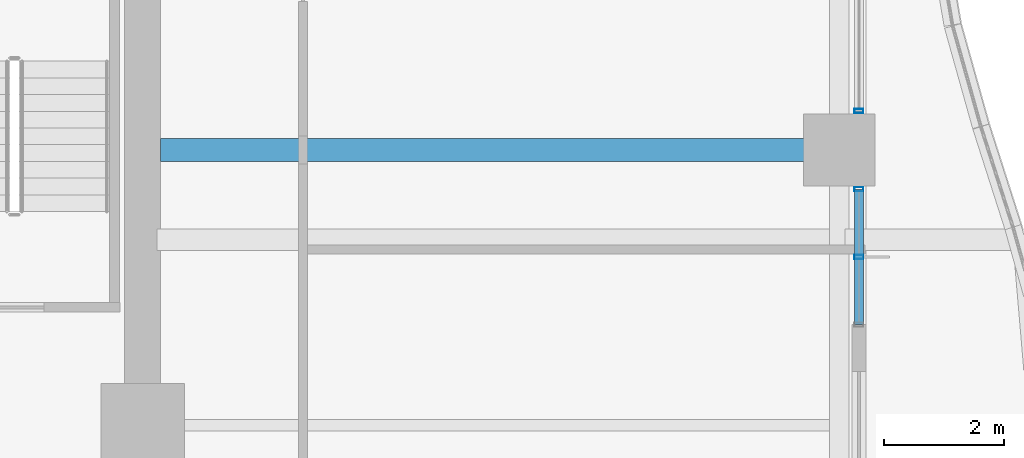
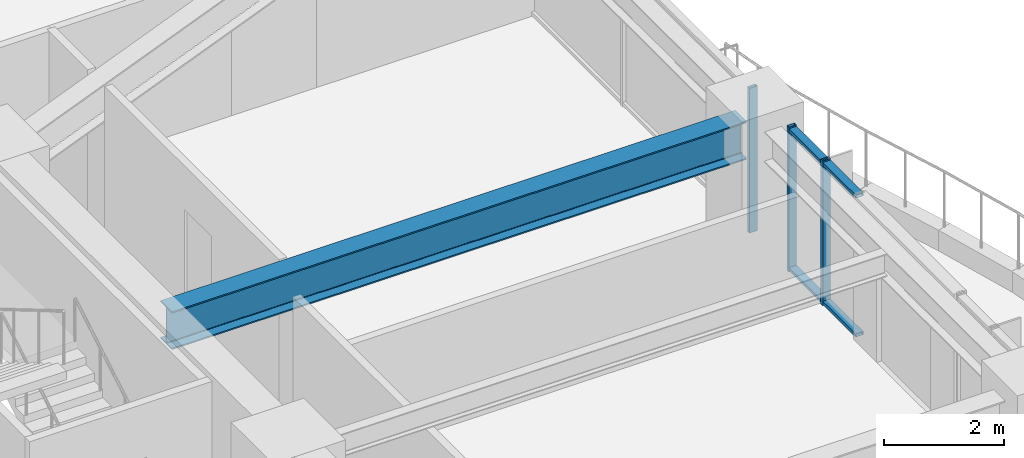
# One storey, part 16 of 38: 5 members, 1 beam, 2 elements without a shape of their own.
"""IFC4 building model written with IfcOpenShell, lengths in metres."""

from ifc_helpers import new_model, si_unit, direction, frame, origin, origin_2d, place, context, subcontext, project, spatial, hollow_rectangle, i_section, extrude, material, material_profile, profile_set, type_object, element, aggregate, save


model = new_model("IFC4")

# Units and contexts
model_context = context("Model", 3, precision=1e-05, world=origin(), true_north=direction((0.0, 1.0)))
body_context = subcontext(model_context, "Body", "Model", "MODEL_VIEW")
ifc_project = project(units=[si_unit("LENGTHUNIT", "METRE"), si_unit("AREAUNIT", "SQUARE_METRE"), si_unit("VOLUMEUNIT", "CUBIC_METRE"), si_unit("PLANEANGLEUNIT", "RADIAN"), si_unit("MASSUNIT", "GRAM", prefix="KILO")], contexts=[model_context])

# Site, building, storey
site_placement = place(None, origin())
site = spatial("IfcSite", under=ifc_project, at=site_placement, CompositionType="ELEMENT")
building_placement = place(site_placement, origin())
building = spatial("IfcBuilding", under=site, at=building_placement, Name="Kolvaren Belvedere", CompositionType="ELEMENT")
storey_placement = place(building_placement, frame((0.0, 0.0, 60.10009765625)))
storey = spatial("IfcBuildingStorey", under=building, at=storey_placement, Name="L17", CompositionType="ELEMENT", Elevation=60.10009765625)

# Beam
ifc_material_1 = material(Name="Structural steel ASTM A992 Grade 50", Category="steel")
ifc_material_profile_1 = material_profile(ifc_material_1, i_section(OverallWidth=0.381103515625, OverallDepth=0.77294921875, WebThickness=0.0166015625, FlangeThickness=0.027099609375, FilletRadius=0.02392578125, at=origin_2d()), Name="W30X173")
ifc_profile_set_1 = profile_set([ifc_material_profile_1], Name="Structural steel ASTM A992 Grade 50")
beam_type = type_object("IfcBeamType", Name="BM-GIRD-W30X173", PredefinedType="BEAM", material=ifc_profile_set_1)
beam_placement = place(storey_placement, frame((10.199951171875, 4.60009765625, 2.5634765625), z_axis=(1.0, 0.0, 0.0), x_axis=(0.0, 1.0, 0.0)))
element("IfcBeam", 1, at=beam_placement, inside=storey, type_object=beam_type, Name="L17 East Radial Girder P", PredefinedType="BEAM", context=body_context, shape_type="SweptSolid", body=[
    extrude(i_section(OverallWidth=0.381103515625, OverallDepth=0.77294921875, WebThickness=0.0166015625, FlangeThickness=0.027099609375, FilletRadius=0.02392578125, at=origin_2d()), origin(), (0.0, 0.0, 1.0), 11.080078125),
])

# Curtain wall, member
ifc_material_2 = material(Name="Anodised pale-metal aluminium AA 6063-T6", Category="aluminium")
curtain_wall_type = type_object("IfcCurtainWallType", Name="CW-Z1-LOW", PredefinedType="NOTDEFINED", material=ifc_material_2)
curtain_wall_1_placement = place(storey_placement, origin())
curtain_wall_1 = element("IfcCurtainWall", 2, at=curtain_wall_1_placement, inside=storey, type_object=curtain_wall_type, Name="L17 Unitised Curtain Wall FCW-L17-E1-B1", PredefinedType="NOTDEFINED")
ifc_material_3 = material(Name="Anodised pale-metal aluminium AA 6063-T6", Category="aluminium")
ifc_material_profile_2 = material_profile(ifc_material_3, hollow_rectangle(XDim=0.070068359375, YDim=0.14990234375, WallThickness=0.004150390625, at=origin_2d()), Name="ALU-MUL-150X70")
ifc_profile_set_2 = profile_set([ifc_material_profile_2], Name="Anodised pale-metal aluminium AA 6063-T6")
member_type_1 = type_object("IfcMemberType", Name="CW-MUL-150", PredefinedType="MULLION", material=ifc_profile_set_2)
member_1_placement = place(storey_placement, frame((21.8798828125, 5.2548828125, 0.0), z_axis=(0.0, 0.0, 1.0), x_axis=(0.0, 1.0, 0.0)))
member_1 = element("IfcMember", 3, at=member_1_placement, type_object=member_type_1, Name="FCW-L17-E1-B1 Unitised Mullion 3", PredefinedType="MULLION", context=body_context, shape_type="SweptSolid", body=[
    extrude(hollow_rectangle(XDim=0.070068359375, YDim=0.14990234375, WallThickness=0.004150390625, at=origin_2d()), origin(), (0.0, 0.0, 1.0), 2.949951171875),
])
aggregate(curtain_wall_1, [member_1])

# Curtain wall, members
curtain_wall_2_placement = place(storey_placement, origin())
curtain_wall_2 = element("IfcCurtainWall", 4, at=curtain_wall_2_placement, inside=storey, type_object=curtain_wall_type, Name="L17 Unitised Curtain Wall FCW-L17-E1-B2", PredefinedType="NOTDEFINED")
member_2_placement = place(storey_placement, frame((21.8798828125, 3.945068359375, 0.0), z_axis=(0.0, 0.0, 1.0), x_axis=(0.0, 1.0, 0.0)))
member_2 = element("IfcMember", 5, at=member_2_placement, type_object=member_type_1, Name="FCW-L17-E1-B2 Unitised Mullion 1", PredefinedType="MULLION", context=body_context, shape_type="SweptSolid", body=[
    extrude(hollow_rectangle(XDim=0.070068359375, YDim=0.14990234375, WallThickness=0.004150390625, at=origin_2d()), origin(), (0.0, 0.0, 1.0), 2.949951171875),
])
member_3_placement = place(storey_placement, frame((21.8798828125, 2.8125, 0.0), z_axis=(0.0, 0.0, 1.0), x_axis=(0.0, 1.0, 0.0)))
member_3 = element("IfcMember", 6, at=member_3_placement, type_object=member_type_1, Name="FCW-L17-E1-B2 Unitised Mullion 2", PredefinedType="MULLION", context=body_context, shape_type="SweptSolid", body=[
    extrude(hollow_rectangle(XDim=0.070068359375, YDim=0.14990234375, WallThickness=0.004150390625, at=origin_2d()), origin(), (0.0, 0.0, 1.0), 2.949951171875),
])
ifc_material_4 = material(Name="Anodised pale-metal aluminium AA 6063-T6", Category="aluminium")
ifc_material_profile_3 = material_profile(ifc_material_4, hollow_rectangle(XDim=0.06494140625, YDim=0.14990234375, WallThickness=0.00390625, at=origin_2d()), Name="ALU-TRN-150X65")
ifc_profile_set_3 = profile_set([ifc_material_profile_3], Name="Anodised pale-metal aluminium AA 6063-T6")
member_type_2 = type_object("IfcMemberType", Name="CW-TRN-150", PredefinedType="USERDEFINED", material=ifc_profile_set_3)
member_4_placement = place(storey_placement, frame((21.8798828125, 3.945068359375, 0.059814453125), z_axis=(0.0, -1.0, 0.0), x_axis=(0.0, 0.0, 1.0)))
member_4 = element("IfcMember", 7, at=member_4_placement, type_object=member_type_2, Name="FCW-L17-E1-B2 Sill Transom", ObjectType="TRANSOM", PredefinedType="USERDEFINED", context=body_context, shape_type="SweptSolid", body=[
    extrude(hollow_rectangle(XDim=0.06494140625, YDim=0.14990234375, WallThickness=0.00390625, at=origin_2d()), origin(), (0.0, 0.0, 1.0), 2.26513671875),
])
member_5_placement = place(storey_placement, frame((21.8798828125, 3.945068359375, 2.889892578125), z_axis=(0.0, -1.0, 0.0), x_axis=(0.0, 0.0, 1.0)))
member_5 = element("IfcMember", 8, at=member_5_placement, type_object=member_type_2, Name="FCW-L17-E1-B2 Head Transom", ObjectType="TRANSOM", PredefinedType="USERDEFINED", context=body_context, shape_type="SweptSolid", body=[
    extrude(hollow_rectangle(XDim=0.06494140625, YDim=0.14990234375, WallThickness=0.00390625, at=origin_2d()), origin(), (0.0, 0.0, 1.0), 2.26513671875),
])
aggregate(curtain_wall_2, [member_2, member_3, member_4, member_5])

save(model, "model.ifc")
